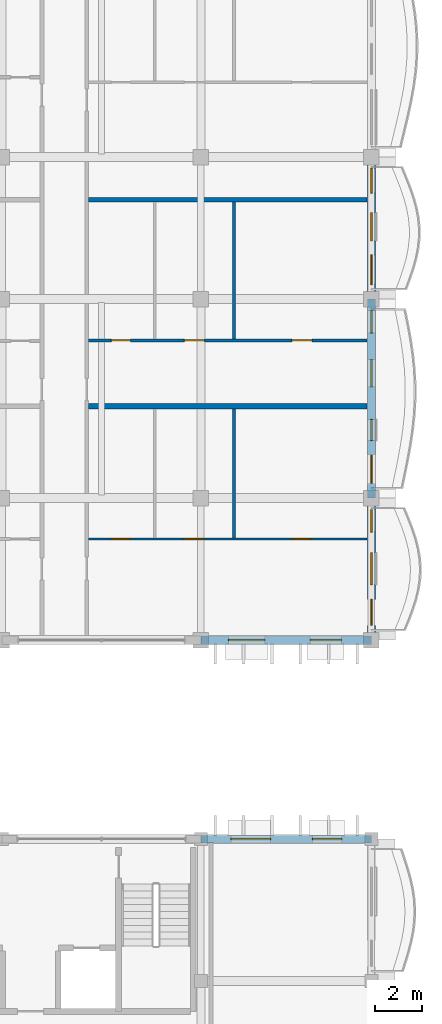
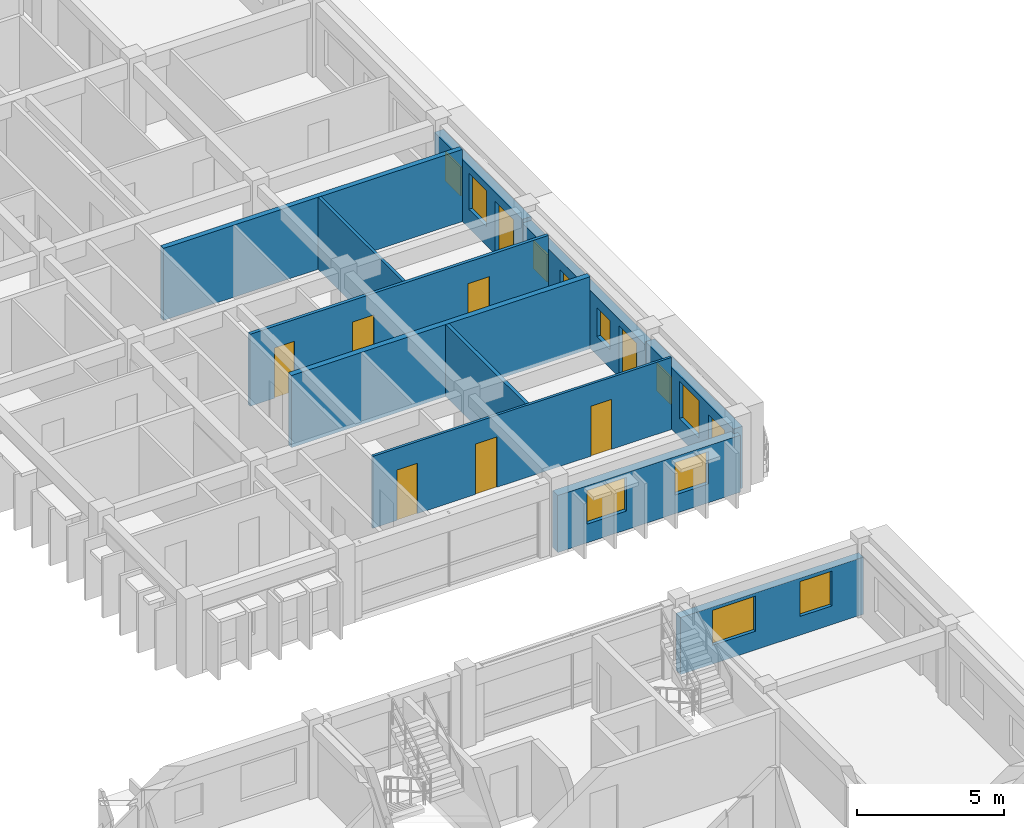
# One storey, part 46 of 79: 11 walls, 11 windows, 9 doors, 20 openings.
"""IFC4 building model written with IfcOpenShell, lengths in metres."""

from ifc_helpers import new_model, si_unit, direction, frame, frame_2d, origin, place, context, subcontext, project, spatial, rectangle, extrude, material, layer, layer_set, type_object, element, fill, save


model = new_model("IFC4")

# Units and contexts
model_context = context("Model", 3, precision=1e-05, world=origin(), true_north=direction((0.0, 1.0)))
body_context = subcontext(model_context, "Body", "Model", "MODEL_VIEW")
ifc_project = project(units=[si_unit("LENGTHUNIT", "METRE"), si_unit("AREAUNIT", "SQUARE_METRE"), si_unit("VOLUMEUNIT", "CUBIC_METRE"), si_unit("PLANEANGLEUNIT", "RADIAN"), si_unit("MASSUNIT", "GRAM", prefix="KILO"), si_unit("THERMODYNAMICTEMPERATUREUNIT", "KELVIN")], contexts=[model_context])

# Site, building, storey
site_placement = place(None, origin())
site = spatial("IfcSite", under=ifc_project, at=site_placement, CompositionType="ELEMENT")
building_placement = place(site_placement, origin())
building = spatial("IfcBuilding", under=site, at=building_placement, Name="Thalorik Housing Commons", CompositionType="ELEMENT")
storey_placement = place(building_placement, frame((0.0, 0.0, 11.39990234375)))
storey = spatial("IfcBuildingStorey", under=building, at=storey_placement, Name="L03", CompositionType="ELEMENT", Elevation=11.39990234375)

# Wall, openings, windows
ifc_material_1 = material(Name="White precast concrete C40/50", Category="concrete")
ifc_layer_1 = layer(ifc_material_1, 0.320068359375, Name="White precast concrete C40/50", Category="concrete")
ifc_layer_set_1 = layer_set([ifc_layer_1], Name="White precast concrete C40/50")
wall_type_1 = type_object("IfcWallType", Name="ARC-WAL-EXT-320", PredefinedType="STANDARD", material=ifc_layer_set_1)
wall_1_placement = place(storey_placement, frame((174.0, 72.0, 0.0), z_axis=(0.0, 0.0, 1.0), x_axis=(-1.0, 0.0, 0.0)))
wall_1 = element("IfcWall", 1, at=wall_1_placement, inside=storey, type_object=wall_type_1, Name="L03 Exterior Wall WAL-EXT-L03-D-1182", PredefinedType="STANDARD", context=body_context, shape_type="SweptSolid", body=[
    extrude(rectangle(XDim=7.199951171875, YDim=0.320068359375, at=frame_2d((3.60009765625, 0.0))), origin(), (0.0, 0.0, 1.0), 2.375),
])
opening_1_placement = place(wall_1_placement, frame((1.24755859375, 0.0, 0.780029296875)))
opening_1 = element("IfcOpeningElement", 2, at=opening_1_placement, cuts=wall_1, Name="Opening W-47", PredefinedType="OPENING", context=body_context, shape_type="SweptSolid", body=[
    extrude(rectangle(XDim=1.25, YDim=1.449951171875, at=frame_2d((0.625, 0.72509765625))), frame((0.0, 0.169921875, 0.0), z_axis=(0.0, -1.0, 0.0), x_axis=(1.0, 0.0, 0.0)), (0.0, 0.0, 1.0), 0.340087890625),
])
opening_2_placement = place(wall_1_placement, frame((4.257568359375, 0.0, 0.780029296875)))
opening_2 = element("IfcOpeningElement", 3, at=opening_2_placement, cuts=wall_1, Name="Opening W-55", PredefinedType="OPENING", context=body_context, shape_type="SweptSolid", body=[
    extrude(rectangle(XDim=1.679931640625, YDim=1.4599609375, at=frame_2d((0.83984375, 0.72998046875))), frame((0.0, 0.169921875, 0.0), z_axis=(0.0, -1.0, 0.0), x_axis=(1.0, 0.0, 0.0)), (0.0, 0.0, 1.0), 0.340087890625),
])
ifc_material_2 = material(Name="Anodised aluminium and solar-control low-E glass", Category="aluminium")
window_type_1 = type_object("IfcWindowType", Name="ARC-WIN-47", PartitioningType="SINGLE_PANEL", PredefinedType="WINDOW", material=ifc_material_2)
window_1_placement = place(opening_1_placement, origin())
window_1 = element("IfcWindow", 4, at=window_1_placement, inside=storey, type_object=window_type_1, Name="L03 Facade Window 2163", OverallHeight=1.449951171875, OverallWidth=1.25, PartitioningType="SINGLE_PANEL", PredefinedType="WINDOW", context=body_context, shape_type="SweptSolid", body=[
    extrude(rectangle(XDim=1.25, YDim=1.449951171875, at=frame_2d((0.625, 0.72509765625))), frame((0.0, 0.030029296875, 0.0), z_axis=(0.0, -1.0, 0.0), x_axis=(1.0, 0.0, 0.0)), (0.0, 0.0, 1.0), 0.06005859375),
])
fill(opening_1, window_1)
window_type_2 = type_object("IfcWindowType", Name="ARC-WIN-55", PartitioningType="DOUBLE_PANEL_VERTICAL", PredefinedType="WINDOW", material=ifc_material_2)
window_2_placement = place(opening_2_placement, origin())
window_2 = element("IfcWindow", 5, at=window_2_placement, inside=storey, type_object=window_type_2, Name="L03 Facade Window 2164", OverallHeight=1.4599609375, OverallWidth=1.679931640625, PartitioningType="DOUBLE_PANEL_VERTICAL", PredefinedType="WINDOW", context=body_context, shape_type="SweptSolid", body=[
    extrude(rectangle(XDim=1.679931640625, YDim=1.4599609375, at=frame_2d((0.83984375, 0.72998046875))), frame((0.0, 0.030029296875, 0.0), z_axis=(0.0, -1.0, 0.0), x_axis=(1.0, 0.0, 0.0)), (0.0, 0.0, 1.0), 0.06005859375),
])
fill(opening_2, window_2)

ifc_layer_2 = layer(ifc_material_1, 0.35009765625, Name="White precast concrete C40/50", Category="concrete")
ifc_layer_set_2 = layer_set([ifc_layer_2], Name="White precast concrete C40/50")
wall_type_2 = type_object("IfcWallType", Name="ARC-WAL-EXT-350", PredefinedType="STANDARD", material=ifc_layer_set_2)
wall_2_placement = place(storey_placement, frame((166.800048828125, 80.39990234375, 0.0), z_axis=(0.0, 0.0, 1.0), x_axis=(1.0, 0.0, 0.0)))
wall_2 = element("IfcWall", 6, at=wall_2_placement, inside=storey, type_object=wall_type_2, Name="L03 Exterior Wall WAL-EXT-L03-B-0516", PredefinedType="STANDARD", context=body_context, shape_type="SweptSolid", body=[
    extrude(rectangle(XDim=7.199951171875, YDim=0.35009765625, at=frame_2d((3.60009765625, 0.0))), origin(), (0.0, 0.0, 1.0), 2.375),
])
opening_3_placement = place(wall_2_placement, frame((1.155029296875, 0.0, 0.780029296875)))
opening_3 = element("IfcOpeningElement", 7, at=opening_3_placement, cuts=wall_2, Name="Opening W-12", PredefinedType="OPENING", context=body_context, shape_type="SweptSolid", body=[
    extrude(rectangle(XDim=1.550048828125, YDim=1.39990234375, at=frame_2d((0.77490234375, 0.699951171875))), frame((0.0, 0.18505859375, 0.0), z_axis=(0.0, -1.0, 0.0), x_axis=(1.0, 0.0, 0.0)), (0.0, 0.0, 1.0), 0.3701171875),
])
opening_4_placement = place(wall_2_placement, frame((4.610107421875, 0.0, 0.780029296875)))
opening_4 = element("IfcOpeningElement", 8, at=opening_4_placement, cuts=wall_2, Name="Opening W-48", PredefinedType="OPENING", context=body_context, shape_type="SweptSolid", body=[
    extrude(rectangle(XDim=1.320068359375, YDim=1.35009765625, at=frame_2d((0.66015625, 0.675048828125))), frame((0.0, 0.18505859375, 0.0), z_axis=(0.0, -1.0, 0.0), x_axis=(1.0, 0.0, 0.0)), (0.0, 0.0, 1.0), 0.3701171875),
])
window_type_3 = type_object("IfcWindowType", Name="ARC-WIN-12", PartitioningType="SINGLE_PANEL", PredefinedType="WINDOW", material=ifc_material_2)
window_3_placement = place(opening_3_placement, origin())
window_3 = element("IfcWindow", 9, at=window_3_placement, inside=storey, type_object=window_type_3, Name="L03 Facade Window 928", OverallHeight=1.39990234375, OverallWidth=1.550048828125, PartitioningType="SINGLE_PANEL", PredefinedType="WINDOW", context=body_context, shape_type="SweptSolid", body=[
    extrude(rectangle(XDim=1.550048828125, YDim=1.39990234375, at=frame_2d((0.77490234375, 0.699951171875))), frame((0.0, 0.030029296875, 0.0), z_axis=(0.0, -1.0, 0.0), x_axis=(1.0, 0.0, 0.0)), (0.0, 0.0, 1.0), 0.06005859375),
])
fill(opening_3, window_3)
window_type_4 = type_object("IfcWindowType", Name="ARC-WIN-48", PartitioningType="SINGLE_PANEL", PredefinedType="WINDOW", material=ifc_material_2)
window_4_placement = place(opening_4_placement, origin())
window_4 = element("IfcWindow", 10, at=window_4_placement, inside=storey, type_object=window_type_4, Name="L03 Facade Window 929", OverallHeight=1.35009765625, OverallWidth=1.320068359375, PartitioningType="SINGLE_PANEL", PredefinedType="WINDOW", context=body_context, shape_type="SweptSolid", body=[
    extrude(rectangle(XDim=1.320068359375, YDim=1.35009765625, at=frame_2d((0.66015625, 0.675048828125))), frame((0.0, 0.030029296875, 0.0), z_axis=(0.0, -1.0, 0.0), x_axis=(1.0, 0.0, 0.0)), (0.0, 0.0, 1.0), 0.06005859375),
])
fill(opening_4, window_4)

# Wall, openings, door, windows
wall_3_placement = place(storey_placement, frame((174.0, 80.39990234375, 0.0), z_axis=(0.0, 0.0, 1.0), x_axis=(0.0, 1.0, 0.0)))
wall_3 = element("IfcWall", 11, at=wall_3_placement, inside=storey, type_object=wall_type_2, Name="L03 Exterior Wall WAL-EXT-L03-B-0517", PredefinedType="STANDARD", context=body_context, shape_type="SweptSolid", body=[
    extrude(rectangle(XDim=6.0, YDim=0.35009765625, at=frame_2d((3.0, 0.0))), origin(), (0.0, 0.0, 1.0), 2.5751953125),
])
opening_5_placement = place(wall_3_placement, frame((0.6201171875, 0.0, 0.0)))
opening_5 = element("IfcOpeningElement", 12, at=opening_5_placement, cuts=wall_3, Name="Opening ED-0153", PredefinedType="OPENING", context=body_context, shape_type="SweptSolid", body=[
    extrude(rectangle(XDim=1.10009765625, YDim=2.14990234375, at=frame_2d((0.550048828125, 1.074951171875))), frame((0.0, 0.18505859375, 0.0), z_axis=(0.0, -1.0, 0.0), x_axis=(1.0, 0.0, 0.0)), (0.0, 0.0, 1.0), 0.3701171875),
])
opening_6_placement = place(wall_3_placement, frame((2.3466796875, 0.0, 0.780029296875)))
opening_6 = element("IfcOpeningElement", 13, at=opening_6_placement, cuts=wall_3, Name="Opening W-07", PredefinedType="OPENING", context=body_context, shape_type="SweptSolid", body=[
    extrude(rectangle(XDim=1.35009765625, YDim=1.550048828125, at=frame_2d((0.675048828125, 0.77490234375))), frame((0.0, 0.18505859375, 0.0), z_axis=(0.0, -1.0, 0.0), x_axis=(1.0, 0.0, 0.0)), (0.0, 0.0, 1.0), 0.3701171875),
])
opening_7_placement = place(wall_3_placement, frame((4.56689453125, 0.0, 0.780029296875)))
opening_7 = element("IfcOpeningElement", 14, at=opening_7_placement, cuts=wall_3, Name="Opening W-43", PredefinedType="OPENING", context=body_context, shape_type="SweptSolid", body=[
    extrude(rectangle(XDim=0.949951171875, YDim=1.14990234375, at=frame_2d((0.47509765625, 0.574951171875))), frame((0.0, 0.18505859375, 0.0), z_axis=(0.0, -1.0, 0.0), x_axis=(1.0, 0.0, 0.0)), (0.0, 0.0, 1.0), 0.3701171875),
])
ifc_material_3 = material(Name="Anodised aluminium and laminated safety glass", Category="aluminium")
door_type_1 = type_object("IfcDoorType", Name="ARC-DR-BAL-1100", OperationType="NOTDEFINED", PredefinedType="DOOR", material=ifc_material_3)
door_1_placement = place(opening_5_placement, frame((1.10009765625, 0.0, 0.0), z_axis=(0.0, 0.0, 1.0), x_axis=(-1.0, 0.0, 0.0)))
door_1 = element("IfcDoor", 15, at=door_1_placement, inside=storey, type_object=door_type_1, Name="L03 Block B Balcony Glazed Door", OperationType="SINGLE_SWING_RIGHT", OverallHeight=2.14990234375, OverallWidth=1.10009765625, PredefinedType="DOOR", context=body_context, shape_type="SweptSolid", body=[
    extrude(rectangle(XDim=1.10009765625, YDim=2.14990234375, at=frame_2d((0.550048828125, 1.074951171875))), frame((0.0, 0.02490234375, 0.0), z_axis=(0.0, -1.0, 0.0), x_axis=(1.0, 0.0, 0.0)), (0.0, 0.0, 1.0), 0.050048828125),
])
fill(opening_5, door_1)
window_type_5 = type_object("IfcWindowType", Name="ARC-WIN-07", PartitioningType="SINGLE_PANEL", PredefinedType="WINDOW", material=ifc_material_2)
window_5_placement = place(opening_6_placement, origin())
window_5 = element("IfcWindow", 16, at=window_5_placement, inside=storey, type_object=window_type_5, Name="L03 Facade Window 930", OverallHeight=1.550048828125, OverallWidth=1.35009765625, PartitioningType="SINGLE_PANEL", PredefinedType="WINDOW", context=body_context, shape_type="SweptSolid", body=[
    extrude(rectangle(XDim=1.35009765625, YDim=1.550048828125, at=frame_2d((0.675048828125, 0.77490234375))), frame((0.0, 0.030029296875, 0.0), z_axis=(0.0, -1.0, 0.0), x_axis=(1.0, 0.0, 0.0)), (0.0, 0.0, 1.0), 0.06005859375),
])
fill(opening_6, window_5)
window_type_6 = type_object("IfcWindowType", Name="ARC-WIN-43", PartitioningType="SINGLE_PANEL", PredefinedType="WINDOW", material=ifc_material_2)
window_6_placement = place(opening_7_placement, origin())
window_6 = element("IfcWindow", 17, at=window_6_placement, inside=storey, type_object=window_type_6, Name="L03 Facade Window 931", OverallHeight=1.14990234375, OverallWidth=0.949951171875, PartitioningType="SINGLE_PANEL", PredefinedType="WINDOW", context=body_context, shape_type="SweptSolid", body=[
    extrude(rectangle(XDim=0.949951171875, YDim=1.14990234375, at=frame_2d((0.47509765625, 0.574951171875))), frame((0.0, 0.030029296875, 0.0), z_axis=(0.0, -1.0, 0.0), x_axis=(1.0, 0.0, 0.0)), (0.0, 0.0, 1.0), 0.06005859375),
])
fill(opening_7, window_6)

wall_4_placement = place(storey_placement, frame((174.0, 86.39990234375, 0.0), z_axis=(0.0, 0.0, 1.0), x_axis=(0.0, 1.0, 0.0)))
wall_4 = element("IfcWall", 18, at=wall_4_placement, inside=storey, type_object=wall_type_2, Name="L03 Exterior Wall WAL-EXT-L03-B-0518", PredefinedType="STANDARD", context=body_context, shape_type="SweptSolid", body=[
    extrude(rectangle(XDim=8.400146484375, YDim=0.35009765625, at=frame_2d((4.2001953125, 0.0))), origin(), (0.0, 0.0, 1.0), 2.425048828125),
])
opening_8_placement = place(wall_4_placement, frame((0.6201171875, 0.0, 0.0)))
opening_8 = element("IfcOpeningElement", 19, at=opening_8_placement, cuts=wall_4, Name="Opening ED-0154", PredefinedType="OPENING", context=body_context, shape_type="SweptSolid", body=[
    extrude(rectangle(XDim=1.199951171875, YDim=2.14990234375, at=frame_2d((0.60009765625, 1.074951171875))), frame((0.0, 0.18505859375, 0.0), z_axis=(0.0, -1.0, 0.0), x_axis=(1.0, 0.0, 0.0)), (0.0, 0.0, 1.0), 0.3701171875),
])
opening_9_placement = place(wall_4_placement, frame((2.425048828125, 0.0, 0.780029296875)))
opening_9 = element("IfcOpeningElement", 20, at=opening_9_placement, cuts=wall_4, Name="Opening W-01", PredefinedType="OPENING", context=body_context, shape_type="SweptSolid", body=[
    extrude(rectangle(XDim=0.89990234375, YDim=1.199951171875, at=frame_2d((0.449951171875, 0.60009765625))), frame((0.0, 0.18505859375, 0.0), z_axis=(0.0, -1.0, 0.0), x_axis=(1.0, 0.0, 0.0)), (0.0, 0.0, 1.0), 0.3701171875),
])
opening_10_placement = place(wall_4_placement, frame((4.69775390625, 0.0, 0.780029296875)))
opening_10 = element("IfcOpeningElement", 21, at=opening_10_placement, cuts=wall_4, Name="Opening W-45", PredefinedType="OPENING", context=body_context, shape_type="SweptSolid", body=[
    extrude(rectangle(XDim=1.14990234375, YDim=1.25, at=frame_2d((0.574951171875, 0.625))), frame((0.0, 0.18505859375, 0.0), z_axis=(0.0, -1.0, 0.0), x_axis=(1.0, 0.0, 0.0)), (0.0, 0.0, 1.0), 0.3701171875),
])
opening_11_placement = place(wall_4_placement, frame((6.962890625, 0.0, 0.780029296875)))
opening_11 = element("IfcOpeningElement", 22, at=opening_11_placement, cuts=wall_4, Name="Opening W-43", PredefinedType="OPENING", context=body_context, shape_type="SweptSolid", body=[
    extrude(rectangle(XDim=0.949951171875, YDim=1.14990234375, at=frame_2d((0.47509765625, 0.574951171875))), frame((0.0, 0.18505859375, 0.0), z_axis=(0.0, -1.0, 0.0), x_axis=(1.0, 0.0, 0.0)), (0.0, 0.0, 1.0), 0.3701171875),
])
door_type_2 = type_object("IfcDoorType", Name="ARC-DR-BAL-1200", OperationType="NOTDEFINED", PredefinedType="DOOR", material=ifc_material_3)
door_2_placement = place(opening_8_placement, frame((1.199951171875, 0.0, 0.0), z_axis=(0.0, 0.0, 1.0), x_axis=(-1.0, 0.0, 0.0)))
door_2 = element("IfcDoor", 23, at=door_2_placement, inside=storey, type_object=door_type_2, Name="L03 Block B Balcony Glazed Door", OperationType="SINGLE_SWING_LEFT", OverallHeight=2.14990234375, OverallWidth=1.199951171875, PredefinedType="DOOR", context=body_context, shape_type="SweptSolid", body=[
    extrude(rectangle(XDim=1.199951171875, YDim=2.14990234375, at=frame_2d((0.60009765625, 1.074951171875))), frame((0.0, 0.02490234375, 0.0), z_axis=(0.0, -1.0, 0.0), x_axis=(1.0, 0.0, 0.0)), (0.0, 0.0, 1.0), 0.050048828125),
])
fill(opening_8, door_2)
window_type_7 = type_object("IfcWindowType", Name="ARC-WIN-01", PartitioningType="SINGLE_PANEL", PredefinedType="WINDOW", material=ifc_material_2)
window_7_placement = place(opening_9_placement, origin())
window_7 = element("IfcWindow", 24, at=window_7_placement, inside=storey, type_object=window_type_7, Name="L03 Facade Window 932", OverallHeight=1.199951171875, OverallWidth=0.89990234375, PartitioningType="SINGLE_PANEL", PredefinedType="WINDOW", context=body_context, shape_type="SweptSolid", body=[
    extrude(rectangle(XDim=0.89990234375, YDim=1.199951171875, at=frame_2d((0.449951171875, 0.60009765625))), frame((0.0, 0.030029296875, 0.0), z_axis=(0.0, -1.0, 0.0), x_axis=(1.0, 0.0, 0.0)), (0.0, 0.0, 1.0), 0.06005859375),
])
fill(opening_9, window_7)
window_8_placement = place(opening_11_placement, origin())
window_8 = element("IfcWindow", 25, at=window_8_placement, inside=storey, type_object=window_type_6, Name="L03 Facade Window 934", OverallHeight=1.14990234375, OverallWidth=0.949951171875, PartitioningType="SINGLE_PANEL", PredefinedType="WINDOW", context=body_context, shape_type="SweptSolid", body=[
    extrude(rectangle(XDim=0.949951171875, YDim=1.14990234375, at=frame_2d((0.47509765625, 0.574951171875))), frame((0.0, 0.030029296875, 0.0), z_axis=(0.0, -1.0, 0.0), x_axis=(1.0, 0.0, 0.0)), (0.0, 0.0, 1.0), 0.06005859375),
])
fill(opening_11, window_8)
window_type_8 = type_object("IfcWindowType", Name="ARC-WIN-45", PartitioningType="SINGLE_PANEL", PredefinedType="WINDOW", material=ifc_material_2)
window_9_placement = place(opening_10_placement, origin())
window_9 = element("IfcWindow", 26, at=window_9_placement, inside=storey, type_object=window_type_8, Name="L03 Facade Window 933", OverallHeight=1.25, OverallWidth=1.14990234375, PartitioningType="SINGLE_PANEL", PredefinedType="WINDOW", context=body_context, shape_type="SweptSolid", body=[
    extrude(rectangle(XDim=1.14990234375, YDim=1.25, at=frame_2d((0.574951171875, 0.625))), frame((0.0, 0.030029296875, 0.0), z_axis=(0.0, -1.0, 0.0), x_axis=(1.0, 0.0, 0.0)), (0.0, 0.0, 1.0), 0.06005859375),
])
fill(opening_10, window_9)

wall_5_placement = place(storey_placement, frame((174.0, 94.800048828125, 0.0), z_axis=(0.0, 0.0, 1.0), x_axis=(0.0, 1.0, 0.0)))
wall_5 = element("IfcWall", 27, at=wall_5_placement, inside=storey, type_object=wall_type_2, Name="L03 Exterior Wall WAL-EXT-L03-B-0519", PredefinedType="STANDARD", context=body_context, shape_type="SweptSolid", body=[
    extrude(rectangle(XDim=6.0, YDim=0.35009765625, at=frame_2d((3.0, 0.0))), origin(), (0.0, 0.0, 1.0), 2.5751953125),
])
opening_12_placement = place(wall_5_placement, frame((0.6201171875, 0.0, 0.0)))
opening_12 = element("IfcOpeningElement", 28, at=opening_12_placement, cuts=wall_5, Name="Opening ED-0155", PredefinedType="OPENING", context=body_context, shape_type="SweptSolid", body=[
    extrude(rectangle(XDim=1.25, YDim=2.199951171875, at=frame_2d((0.625, 1.10009765625))), frame((0.0, 0.18505859375, 0.0), z_axis=(0.0, -1.0, 0.0), x_axis=(1.0, 0.0, 0.0)), (0.0, 0.0, 1.0), 0.3701171875),
])
opening_13_placement = place(wall_5_placement, frame((2.4599609375, 0.0, 0.780029296875)))
opening_13 = element("IfcOpeningElement", 29, at=opening_13_placement, cuts=wall_5, Name="Opening W-05", PredefinedType="OPENING", context=body_context, shape_type="SweptSolid", body=[
    extrude(rectangle(XDim=1.199951171875, YDim=1.5, at=frame_2d((0.60009765625, 0.75))), frame((0.0, 0.18505859375, 0.0), z_axis=(0.0, -1.0, 0.0), x_axis=(1.0, 0.0, 0.0)), (0.0, 0.0, 1.0), 0.3701171875),
])
opening_14_placement = place(wall_5_placement, frame((4.47998046875, 0.0, 0.780029296875)))
opening_14 = element("IfcOpeningElement", 30, at=opening_14_placement, cuts=wall_5, Name="Opening W-44", PredefinedType="OPENING", context=body_context, shape_type="SweptSolid", body=[
    extrude(rectangle(XDim=1.050048828125, YDim=1.199951171875, at=frame_2d((0.52490234375, 0.60009765625))), frame((0.0, 0.18505859375, 0.0), z_axis=(0.0, -1.0, 0.0), x_axis=(1.0, 0.0, 0.0)), (0.0, 0.0, 1.0), 0.3701171875),
])
door_type_3 = type_object("IfcDoorType", Name="ARC-DR-BAL-1250", OperationType="NOTDEFINED", PredefinedType="DOOR", material=ifc_material_3)
door_3_placement = place(opening_12_placement, frame((1.25, 0.0, 0.0), z_axis=(0.0, 0.0, 1.0), x_axis=(-1.0, 0.0, 0.0)))
door_3 = element("IfcDoor", 31, at=door_3_placement, inside=storey, type_object=door_type_3, Name="L03 Block B Balcony Glazed Door", OperationType="SINGLE_SWING_RIGHT", OverallHeight=2.199951171875, OverallWidth=1.25, PredefinedType="DOOR", context=body_context, shape_type="SweptSolid", body=[
    extrude(rectangle(XDim=1.25, YDim=2.199951171875, at=frame_2d((0.625, 1.10009765625))), frame((0.0, 0.02490234375, 0.0), z_axis=(0.0, -1.0, 0.0), x_axis=(1.0, 0.0, 0.0)), (0.0, 0.0, 1.0), 0.050048828125),
])
fill(opening_12, door_3)
window_type_9 = type_object("IfcWindowType", Name="ARC-WIN-05", PartitioningType="SINGLE_PANEL", PredefinedType="WINDOW", material=ifc_material_2)
window_10_placement = place(opening_13_placement, origin())
window_10 = element("IfcWindow", 32, at=window_10_placement, inside=storey, type_object=window_type_9, Name="L03 Facade Window 935", OverallHeight=1.5, OverallWidth=1.199951171875, PartitioningType="SINGLE_PANEL", PredefinedType="WINDOW", context=body_context, shape_type="SweptSolid", body=[
    extrude(rectangle(XDim=1.199951171875, YDim=1.5, at=frame_2d((0.60009765625, 0.75))), frame((0.0, 0.030029296875, 0.0), z_axis=(0.0, -1.0, 0.0), x_axis=(1.0, 0.0, 0.0)), (0.0, 0.0, 1.0), 0.06005859375),
])
fill(opening_13, window_10)
window_type_10 = type_object("IfcWindowType", Name="ARC-WIN-44", PartitioningType="SINGLE_PANEL", PredefinedType="WINDOW", material=ifc_material_2)
window_11_placement = place(opening_14_placement, origin())
window_11 = element("IfcWindow", 33, at=window_11_placement, inside=storey, type_object=window_type_10, Name="L03 Facade Window 936", OverallHeight=1.199951171875, OverallWidth=1.050048828125, PartitioningType="SINGLE_PANEL", PredefinedType="WINDOW", context=body_context, shape_type="SweptSolid", body=[
    extrude(rectangle(XDim=1.050048828125, YDim=1.199951171875, at=frame_2d((0.52490234375, 0.60009765625))), frame((0.0, 0.030029296875, 0.0), z_axis=(0.0, -1.0, 0.0), x_axis=(1.0, 0.0, 0.0)), (0.0, 0.0, 1.0), 0.06005859375),
])
fill(opening_14, window_11)

# Wall, openings, doors
ifc_material_4 = material(Name="Gypsum light stud partition", Category="masonry")
ifc_layer_3 = layer(ifc_material_4, 0.10009765625, Name="Gypsum light stud partition", Category="masonry")
ifc_layer_set_3 = layer_set([ifc_layer_3], Name="Gypsum light stud partition")
wall_type_3 = type_object("IfcWallType", Name="ARC-WAL-PART-100", PredefinedType="PARTITIONING", material=ifc_layer_set_3)
wall_6_placement = place(storey_placement, frame((162.056884765625, 84.673583984375, 0.0), z_axis=(0.0, 0.0, 1.0), x_axis=(1.0, 0.0, 0.0)))
wall_6 = element("IfcWall", 34, at=wall_6_placement, inside=storey, type_object=wall_type_3, Name="L03 Unit 1B Spine Partition", PredefinedType="PARTITIONING", context=body_context, shape_type="SweptSolid", body=[
    extrude(rectangle(XDim=11.76611328125, YDim=0.10009765625, at=frame_2d((5.883056640625, 0.0))), origin(), (0.0, 0.0, 1.0), 3.0),
])
opening_15_placement = place(wall_6_placement, frame((0.958251953125, 0.0, 0.0)))
opening_15 = element("IfcOpeningElement", 35, at=opening_15_placement, cuts=wall_6, Name="Opening ID-1102", PredefinedType="OPENING", context=body_context, shape_type="SweptSolid", body=[
    extrude(rectangle(XDim=0.800048828125, YDim=2.10009765625, at=frame_2d((0.39990234375, 1.050048828125))), frame((0.0, 0.06005859375, 0.0), z_axis=(0.0, -1.0, 0.0), x_axis=(1.0, 0.0, 0.0)), (0.0, 0.0, 1.0), 0.1201171875),
])
opening_16_placement = place(wall_6_placement, frame((4.042724609375, 0.0, 0.0)))
opening_16 = element("IfcOpeningElement", 36, at=opening_16_placement, cuts=wall_6, Name="Opening ID-1103", PredefinedType="OPENING", context=body_context, shape_type="SweptSolid", body=[
    extrude(rectangle(XDim=0.85009765625, YDim=2.10009765625, at=frame_2d((0.425048828125, 1.050048828125))), frame((0.0, 0.06005859375, 0.0), z_axis=(0.0, -1.0, 0.0), x_axis=(1.0, 0.0, 0.0)), (0.0, 0.0, 1.0), 0.1201171875),
])
opening_17_placement = place(wall_6_placement, frame((8.587646484375, 0.0, 0.0)))
opening_17 = element("IfcOpeningElement", 37, at=opening_17_placement, cuts=wall_6, Name="Opening ID-1104", PredefinedType="OPENING", context=body_context, shape_type="SweptSolid", body=[
    extrude(rectangle(XDim=0.820068359375, YDim=2.080078125, at=frame_2d((0.41015625, 1.0400390625))), frame((0.0, 0.06005859375, 0.0), z_axis=(0.0, -1.0, 0.0), x_axis=(1.0, 0.0, 0.0)), (0.0, 0.0, 1.0), 0.1201171875),
])
ifc_material_5 = material(Name="Moisture-resistant timber", Category="wood")
door_type_4 = type_object("IfcDoorType", Name="ARC-DR-INT-800", OperationType="NOTDEFINED", PredefinedType="DOOR", material=ifc_material_5)
door_4_placement = place(opening_15_placement, origin())
door_4 = element("IfcDoor", 38, at=door_4_placement, inside=storey, type_object=door_type_4, Name="L03 Flat Bathroom Door", OperationType="SINGLE_SWING_LEFT", OverallHeight=2.10009765625, OverallWidth=0.800048828125, PredefinedType="DOOR", context=body_context, shape_type="SweptSolid", body=[
    extrude(rectangle(XDim=0.800048828125, YDim=2.10009765625, at=frame_2d((0.39990234375, 1.050048828125))), frame((0.0, 0.02490234375, 0.0), z_axis=(0.0, -1.0, 0.0), x_axis=(1.0, 0.0, 0.0)), (0.0, 0.0, 1.0), 0.050048828125),
])
fill(opening_15, door_4)
ifc_material_6 = material(Name="Engineered oak timber", Category="wood")
door_type_5 = type_object("IfcDoorType", Name="ARC-DR-INT-820", OperationType="NOTDEFINED", PredefinedType="DOOR", material=ifc_material_6)
door_5_placement = place(opening_17_placement, origin())
door_5 = element("IfcDoor", 39, at=door_5_placement, inside=storey, type_object=door_type_5, Name="L03 Master Bedroom Door", OperationType="SINGLE_SWING_LEFT", OverallHeight=2.080078125, OverallWidth=0.820068359375, PredefinedType="DOOR", context=body_context, shape_type="SweptSolid", body=[
    extrude(rectangle(XDim=0.820068359375, YDim=2.080078125, at=frame_2d((0.41015625, 1.0400390625))), frame((0.0, 0.02490234375, 0.0), z_axis=(0.0, -1.0, 0.0), x_axis=(1.0, 0.0, 0.0)), (0.0, 0.0, 1.0), 0.050048828125),
])
fill(opening_17, door_5)
door_type_6 = type_object("IfcDoorType", Name="ARC-DR-INT-850", OperationType="NOTDEFINED", PredefinedType="DOOR", material=ifc_material_6)
door_6_placement = place(opening_16_placement, origin())
door_6 = element("IfcDoor", 40, at=door_6_placement, inside=storey, type_object=door_type_6, Name="L03 Eat-In Kitchen Door", OperationType="SINGLE_SWING_RIGHT", OverallHeight=2.10009765625, OverallWidth=0.85009765625, PredefinedType="DOOR", context=body_context, shape_type="SweptSolid", body=[
    extrude(rectangle(XDim=0.85009765625, YDim=2.10009765625, at=frame_2d((0.425048828125, 1.050048828125))), frame((0.0, 0.02490234375, 0.0), z_axis=(0.0, -1.0, 0.0), x_axis=(1.0, 0.0, 0.0)), (0.0, 0.0, 1.0), 0.050048828125),
])
fill(opening_16, door_6)

# Wall
ifc_material_7 = material(Name="Gypsum moisture-resistant partition", Category="masonry")
ifc_layer_4 = layer(ifc_material_7, 0.114990234375, Name="Gypsum moisture-resistant partition", Category="masonry")
ifc_layer_set_4 = layer_set([ifc_layer_4], Name="Gypsum moisture-resistant partition")
wall_type_4 = type_object("IfcWallType", Name="ARC-WAL-PART-115", PredefinedType="PARTITIONING", material=ifc_layer_set_4)
wall_7_placement = place(storey_placement, frame((168.19921875, 93.130126953125, 0.0), z_axis=(0.0, 0.0, 1.0), x_axis=(0.0, 1.0, 0.0)))
element("IfcWall", 41, at=wall_7_placement, inside=storey, type_object=wall_type_4, Name="L03 Unit 2B Bedroom Partition", PredefinedType="PARTITIONING", context=body_context, shape_type="SweptSolid", body=[
    extrude(rectangle(XDim=5.767822265625, YDim=0.114990234375, at=frame_2d((2.8837890625, 0.0))), origin(), (0.0, 0.0, 1.0), 3.0),
])

# Wall, openings, doors
ifc_material_8 = material(Name="Gypsum acoustic stud partition", Category="masonry")
ifc_layer_5 = layer(ifc_material_8, 0.125, Name="Gypsum acoustic stud partition", Category="masonry")
ifc_layer_set_5 = layer_set([ifc_layer_5], Name="Gypsum acoustic stud partition")
wall_type_5 = type_object("IfcWallType", Name="ARC-WAL-PART-125", PredefinedType="PARTITIONING", material=ifc_layer_set_5)
wall_8_placement = place(storey_placement, frame((162.056884765625, 93.065673828125, 0.0), z_axis=(0.0, 0.0, 1.0), x_axis=(1.0, 0.0, 0.0)))
wall_8 = element("IfcWall", 42, at=wall_8_placement, inside=storey, type_object=wall_type_5, Name="L03 Unit 2B Spine Partition", PredefinedType="PARTITIONING", context=body_context, shape_type="SweptSolid", body=[
    extrude(rectangle(XDim=11.76611328125, YDim=0.125, at=frame_2d((5.883056640625, 0.0))), origin(), (0.0, 0.0, 1.0), 3.0),
])
opening_18_placement = place(wall_8_placement, frame((0.958251953125, 0.0, 0.0)))
opening_18 = element("IfcOpeningElement", 43, at=opening_18_placement, cuts=wall_8, Name="Opening ID-1108", PredefinedType="OPENING", context=body_context, shape_type="SweptSolid", body=[
    extrude(rectangle(XDim=0.800048828125, YDim=2.10009765625, at=frame_2d((0.39990234375, 1.050048828125))), frame((0.0, 0.072509765625, 0.0), z_axis=(0.0, -1.0, 0.0), x_axis=(1.0, 0.0, 0.0)), (0.0, 0.0, 1.0), 0.14501953125),
])
opening_19_placement = place(wall_8_placement, frame((4.042724609375, 0.0, 0.0)))
opening_19 = element("IfcOpeningElement", 44, at=opening_19_placement, cuts=wall_8, Name="Opening ID-1109", PredefinedType="OPENING", context=body_context, shape_type="SweptSolid", body=[
    extrude(rectangle(XDim=0.85009765625, YDim=2.10009765625, at=frame_2d((0.425048828125, 1.050048828125))), frame((0.0, 0.072509765625, 0.0), z_axis=(0.0, -1.0, 0.0), x_axis=(1.0, 0.0, 0.0)), (0.0, 0.0, 1.0), 0.14501953125),
])
opening_20_placement = place(wall_8_placement, frame((8.587646484375, 0.0, 0.0)))
opening_20 = element("IfcOpeningElement", 45, at=opening_20_placement, cuts=wall_8, Name="Opening ID-1110", PredefinedType="OPENING", context=body_context, shape_type="SweptSolid", body=[
    extrude(rectangle(XDim=0.85009765625, YDim=2.10009765625, at=frame_2d((0.425048828125, 1.050048828125))), frame((0.0, 0.072509765625, 0.0), z_axis=(0.0, -1.0, 0.0), x_axis=(1.0, 0.0, 0.0)), (0.0, 0.0, 1.0), 0.14501953125),
])
door_7_placement = place(opening_18_placement, origin())
door_7 = element("IfcDoor", 46, at=door_7_placement, inside=storey, type_object=door_type_4, Name="L03 Flat Bathroom Door", OperationType="SINGLE_SWING_LEFT", OverallHeight=2.10009765625, OverallWidth=0.800048828125, PredefinedType="DOOR", context=body_context, shape_type="SweptSolid", body=[
    extrude(rectangle(XDim=0.800048828125, YDim=2.10009765625, at=frame_2d((0.39990234375, 1.050048828125))), frame((0.0, 0.02490234375, 0.0), z_axis=(0.0, -1.0, 0.0), x_axis=(1.0, 0.0, 0.0)), (0.0, 0.0, 1.0), 0.050048828125),
])
fill(opening_18, door_7)
door_8_placement = place(opening_19_placement, origin())
door_8 = element("IfcDoor", 47, at=door_8_placement, inside=storey, type_object=door_type_6, Name="L03 Galley Kitchen Door", OperationType="SINGLE_SWING_RIGHT", OverallHeight=2.10009765625, OverallWidth=0.85009765625, PredefinedType="DOOR", context=body_context, shape_type="SweptSolid", body=[
    extrude(rectangle(XDim=0.85009765625, YDim=2.10009765625, at=frame_2d((0.425048828125, 1.050048828125))), frame((0.0, 0.02490234375, 0.0), z_axis=(0.0, -1.0, 0.0), x_axis=(1.0, 0.0, 0.0)), (0.0, 0.0, 1.0), 0.050048828125),
])
fill(opening_19, door_8)
door_9_placement = place(opening_20_placement, origin())
door_9 = element("IfcDoor", 48, at=door_9_placement, inside=storey, type_object=door_type_6, Name="L03 Double Bedroom Door", OperationType="SINGLE_SWING_LEFT", OverallHeight=2.10009765625, OverallWidth=0.85009765625, PredefinedType="DOOR", context=body_context, shape_type="SweptSolid", body=[
    extrude(rectangle(XDim=0.85009765625, YDim=2.10009765625, at=frame_2d((0.425048828125, 1.050048828125))), frame((0.0, 0.02490234375, 0.0), z_axis=(0.0, -1.0, 0.0), x_axis=(1.0, 0.0, 0.0)), (0.0, 0.0, 1.0), 0.050048828125),
])
fill(opening_20, door_9)

# Walls
ifc_material_9 = material(Name="Ceramic masonry partition wall", Category="masonry")
ifc_layer_6 = layer(ifc_material_9, 0.139892578125, Name="Ceramic masonry partition wall", Category="masonry")
ifc_layer_set_6 = layer_set([ifc_layer_6], Name="Ceramic masonry partition wall")
wall_type_6 = type_object("IfcWallType", Name="ARC-WAL-PART-140", PredefinedType="PARTITIONING", material=ifc_layer_set_6)
wall_9_placement = place(storey_placement, frame((168.19921875, 84.7255859375, 0.0), z_axis=(0.0, 0.0, 1.0), x_axis=(0.0, 1.0, 0.0)))
element("IfcWall", 49, at=wall_9_placement, inside=storey, type_object=wall_type_6, Name="L03 Unit 1B Bedroom Partition", PredefinedType="PARTITIONING", context=body_context, shape_type="SweptSolid", body=[
    extrude(rectangle(XDim=5.4423828125, YDim=0.139892578125, at=frame_2d((2.72119140625, 0.0))), origin(), (0.0, 0.0, 1.0), 3.0),
])
ifc_material_10 = material(Name="Precast concrete C40/50 acoustic wall", Category="concrete")
ifc_layer_7 = layer(ifc_material_10, 0.199951171875, Name="Precast concrete C40/50 acoustic wall", Category="concrete")
ifc_layer_set_7 = layer_set([ifc_layer_7], Name="Precast concrete C40/50 acoustic wall")
wall_type_7 = type_object("IfcWallType", Name="ARC-WAL-PARTY-200", PredefinedType="PARTITIONING", material=ifc_layer_set_7)
wall_10_placement = place(storey_placement, frame((162.056884765625, 99.0, 0.0), z_axis=(0.0, 0.0, 1.0), x_axis=(1.0, 0.0, 0.0)))
element("IfcWall", 50, at=wall_10_placement, inside=storey, type_object=wall_type_7, Name="L03 Inter-Tenancy Wall 2B", PredefinedType="PARTITIONING", context=body_context, shape_type="SweptSolid", body=[
    extrude(rectangle(XDim=11.76611328125, YDim=0.199951171875, at=frame_2d((5.883056640625, 0.0))), origin(), (0.0, 0.0, 1.0), 3.0),
])
ifc_layer_8 = layer(ifc_material_10, 0.219970703125, Name="Precast concrete C40/50 acoustic wall", Category="concrete")
ifc_layer_set_8 = layer_set([ifc_layer_8], Name="Precast concrete C40/50 acoustic wall")
wall_type_8 = type_object("IfcWallType", Name="ARC-WAL-PARTY-220", PredefinedType="PARTITIONING", material=ifc_layer_set_8)
wall_11_placement = place(storey_placement, frame((162.056884765625, 90.280029296875, 0.0), z_axis=(0.0, 0.0, 1.0), x_axis=(1.0, 0.0, 0.0)))
element("IfcWall", 51, at=wall_11_placement, inside=storey, type_object=wall_type_8, Name="L03 Inter-Tenancy Wall 1B", PredefinedType="PARTITIONING", context=body_context, shape_type="SweptSolid", body=[
    extrude(rectangle(XDim=11.76611328125, YDim=0.219970703125, at=frame_2d((5.883056640625, 0.0))), origin(), (0.0, 0.0, 1.0), 3.0),
])

save(model, "model.ifc")
